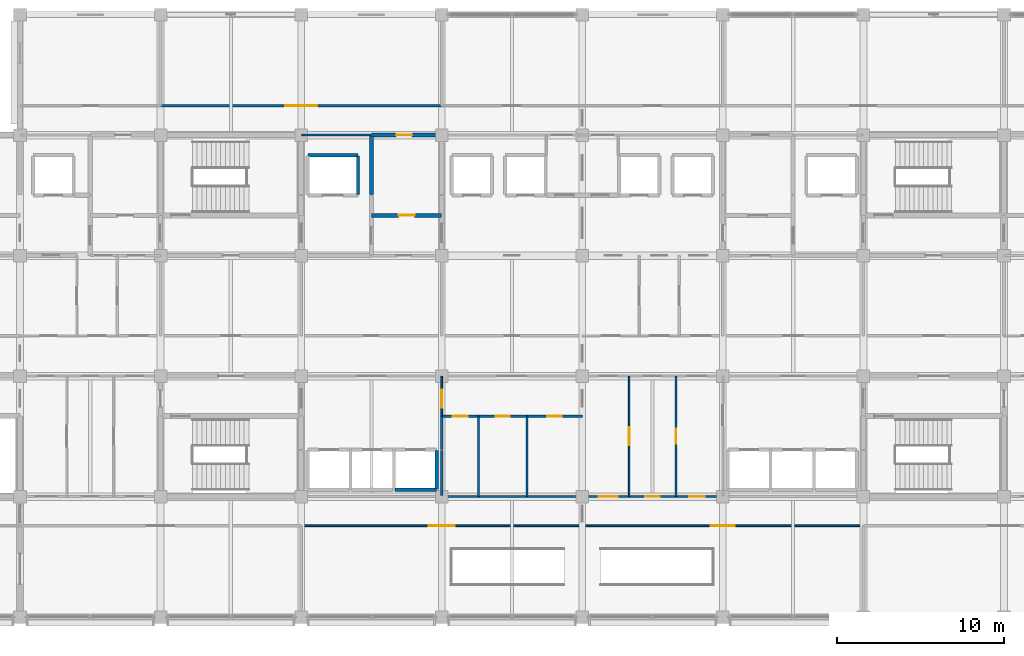
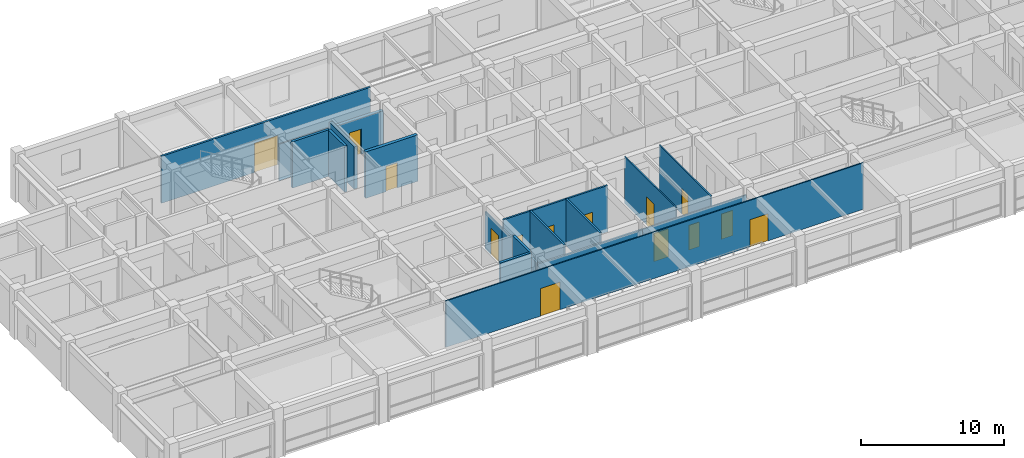
# One storey, part 14 of 23: 20 walls, 14 doors, 14 openings.
"""IFC4 building model written with IfcOpenShell, lengths in metres."""

from ifc_helpers import new_model, si_unit, direction, frame, frame_2d, origin, place, context, subcontext, project, spatial, rectangle, extrude, material, layer, layer_set, type_object, element, fill, save


model = new_model("IFC4")

# Units and contexts
model_context = context("Model", 3, precision=1e-05, world=origin(), true_north=direction((0.0, 1.0)))
body_context = subcontext(model_context, "Body", "Model", "MODEL_VIEW")
ifc_project = project(units=[si_unit("LENGTHUNIT", "METRE"), si_unit("AREAUNIT", "SQUARE_METRE"), si_unit("VOLUMEUNIT", "CUBIC_METRE"), si_unit("PLANEANGLEUNIT", "RADIAN"), si_unit("MASSUNIT", "GRAM", prefix="KILO")], contexts=[model_context])

# Site, building, storey
site_placement = place(None, origin())
site = spatial("IfcSite", under=ifc_project, at=site_placement, CompositionType="ELEMENT")
building_placement = place(site_placement, origin())
building = spatial("IfcBuilding", under=site, at=building_placement, Name="Chengyuan Square Courthouse", CompositionType="ELEMENT")
storey_placement = place(building_placement, frame((0.0, 0.0, 43.5)))
storey = spatial("IfcBuildingStorey", under=building, at=storey_placement, Name="L10", CompositionType="ELEMENT", Elevation=43.5)

# Wall, opening, door
ifc_material_1 = material(Name="Concrete C40", Category="concrete")
ifc_layer_1 = layer(ifc_material_1, 0.25)
ifc_layer_set_1 = layer_set([ifc_layer_1], Name="Concrete C40")
wall_type_1 = type_object("IfcWallType", Name="WL-FW1", PredefinedType="STANDARD", material=ifc_layer_set_1)
wall_1_placement = place(storey_placement, frame((71.39990234375, 103.199951171875, 0.0), z_axis=(0.0, 0.0, 1.0), x_axis=(1.0, 0.0, 0.0)))
wall_1 = element("IfcWall", 1, at=wall_1_placement, inside=storey, type_object=wall_type_1, Name="Interior Wall WL-L10-I3354", PredefinedType="STANDARD", context=body_context, shape_type="SweptSolid", body=[
    extrude(rectangle(XDim=4.2001953125, YDim=0.25, at=frame_2d((2.10009765625, 0.0))), origin(), (0.0, 0.0, 1.0), 3.949951171875),
])
opening_1_placement = place(wall_1_placement, frame((1.625, 0.0, 0.0)))
opening_1 = element("IfcOpeningElement", 2, at=opening_1_placement, cuts=wall_1, Name="Opening DR-2794", PredefinedType="OPENING", context=body_context, shape_type="SweptSolid", body=[
    extrude(rectangle(XDim=0.949951171875, YDim=2.14990234375, at=frame_2d((0.47509765625, 1.074951171875))), frame((0.0, 0.136962890625, 0.0), z_axis=(0.0, -1.0, 0.0), x_axis=(1.0, 0.0, 0.0)), (0.0, 0.0, 1.0), 0.27392578125),
])
ifc_material_2 = material(Name="Steel Q235B Fire Door", Category="steel")
door_type_1 = type_object("IfcDoorType", Name="DT-12", OperationType="NOTDEFINED", PredefinedType="DOOR", material=ifc_material_2)
door_1_placement = place(opening_1_placement, origin())
door_1 = element("IfcDoor", 3, at=door_1_placement, inside=storey, type_object=door_type_1, Name="Interior Door DR-2794", OperationType="SINGLE_SWING_RIGHT", OverallHeight=2.14990234375, OverallWidth=0.949951171875, PredefinedType="DOOR", context=body_context, shape_type="SweptSolid", body=[
    extrude(rectangle(XDim=0.949951171875, YDim=2.14990234375, at=frame_2d((0.47509765625, 1.074951171875))), frame((0.0, 0.02490234375, 0.0), z_axis=(0.0, -1.0, 0.0), x_axis=(1.0, 0.0, 0.0)), (0.0, 0.0, 1.0), 0.050048828125),
])
fill(opening_1, door_1)

wall_2_placement = place(storey_placement, frame((71.39990234375, 108.0, 0.0), z_axis=(0.0, 0.0, 1.0), x_axis=(1.0, 0.0, 0.0)))
wall_2 = element("IfcWall", 4, at=wall_2_placement, inside=storey, type_object=wall_type_1, Name="Interior Wall WL-L10-I3386", PredefinedType="STANDARD", context=body_context, shape_type="SweptSolid", body=[
    extrude(rectangle(XDim=4.2001953125, YDim=0.25, at=frame_2d((2.10009765625, 0.0))), origin(), (0.0, 0.0, 1.0), 3.10009765625),
])
opening_2_placement = place(wall_2_placement, frame((1.4775390625, 0.0, 0.0)))
opening_2 = element("IfcOpeningElement", 5, at=opening_2_placement, cuts=wall_2, Name="Opening DR-2797", PredefinedType="OPENING", context=body_context, shape_type="SweptSolid", body=[
    extrude(rectangle(XDim=0.949951171875, YDim=2.14990234375, at=frame_2d((0.47509765625, 1.074951171875))), frame((0.0, 0.136962890625, 0.0), z_axis=(0.0, -1.0, 0.0), x_axis=(1.0, 0.0, 0.0)), (0.0, 0.0, 1.0), 0.27392578125),
])
door_2_placement = place(opening_2_placement, origin())
door_2 = element("IfcDoor", 6, at=door_2_placement, inside=storey, type_object=door_type_1, Name="Interior Door DR-2797", OperationType="SINGLE_SWING_LEFT", OverallHeight=2.14990234375, OverallWidth=0.949951171875, PredefinedType="DOOR", context=body_context, shape_type="SweptSolid", body=[
    extrude(rectangle(XDim=0.949951171875, YDim=2.14990234375, at=frame_2d((0.47509765625, 1.074951171875))), frame((0.0, 0.02490234375, 0.0), z_axis=(0.0, -1.0, 0.0), x_axis=(1.0, 0.0, 0.0)), (0.0, 0.0, 1.0), 0.050048828125),
])
fill(opening_2, door_2)

# Wall
wall_3_placement = place(storey_placement, frame((71.39990234375, 104.449951171875, 0.0), z_axis=(0.0, 0.0, 1.0), x_axis=(0.0, 1.0, 0.0)))
element("IfcWall", 7, at=wall_3_placement, inside=storey, type_object=wall_type_1, Name="Interior Wall WL-L10-I3435", PredefinedType="STANDARD", context=body_context, shape_type="SweptSolid", body=[
    extrude(rectangle(XDim=3.5, YDim=0.25, at=frame_2d((1.75, 0.0))), origin(), (0.0, 0.0, 1.0), 3.60009765625),
])

# Wall, opening, door
ifc_material_3 = material(Name="Acoustic Timber-Lined Gypsum Partition", Category="wood")
ifc_layer_2 = layer(ifc_material_3, 0.159912109375)
ifc_layer_set_2 = layer_set([ifc_layer_2], Name="Acoustic Timber-Lined Gypsum Partition")
wall_type_2 = type_object("IfcWallType", Name="WL-PT2", PredefinedType="STANDARD", material=ifc_layer_set_2)
wall_4_placement = place(storey_placement, frame((58.800048828125, 109.75, 0.0), z_axis=(0.0, 0.0, 1.0), x_axis=(1.0, 0.0, 0.0)))
wall_4 = element("IfcWall", 8, at=wall_4_placement, inside=storey, type_object=wall_type_2, Name="Interior Wall WL-L10-I3396", PredefinedType="STANDARD", context=body_context, shape_type="SweptSolid", body=[
    extrude(rectangle(XDim=16.800048828125, YDim=0.159912109375, at=frame_2d((8.39990234375, 0.0))), origin(), (0.0, 0.0, 1.0), 4.0),
])
opening_3_placement = place(wall_4_placement, frame((7.449951171875, 0.0, 0.0)))
opening_3 = element("IfcOpeningElement", 9, at=opening_3_placement, cuts=wall_4, Name="Opening DR-2893", PredefinedType="OPENING", context=body_context, shape_type="SweptSolid", body=[
    extrude(rectangle(XDim=1.89990234375, YDim=2.5, at=frame_2d((0.949951171875, 1.25))), frame((0.0, 0.092041015625, 0.0), z_axis=(0.0, -1.0, 0.0), x_axis=(1.0, 0.0, 0.0)), (0.0, 0.0, 1.0), 0.183837890625),
])
ifc_material_4 = material(Name="Acoustic Larch Veneer Double Door")
door_type_2 = type_object("IfcDoorType", Name="DT-26", OperationType="DOUBLE_DOOR_SINGLE_SWING", PredefinedType="DOOR", material=ifc_material_4)
door_3_placement = place(opening_3_placement, frame((1.89990234375, 0.0, 0.0), z_axis=(0.0, 0.0, 1.0), x_axis=(-1.0, 0.0, 0.0)))
door_3 = element("IfcDoor", 10, at=door_3_placement, inside=storey, type_object=door_type_2, Name="Interior Door DR-2893", OperationType="DOUBLE_DOOR_SINGLE_SWING", OverallHeight=2.5, OverallWidth=1.89990234375, PredefinedType="DOOR", context=body_context, shape_type="SweptSolid", body=[
    extrude(rectangle(XDim=1.89990234375, YDim=2.5, at=frame_2d((0.949951171875, 1.25))), frame((0.0, 0.02490234375, 0.0), z_axis=(0.0, -1.0, 0.0), x_axis=(1.0, 0.0, 0.0)), (0.0, 0.0, 1.0), 0.050048828125),
])
fill(opening_3, door_3)

# Wall
ifc_material_5 = material(Name="Moisture-Resistant Masonry Wet-Room Partition", Category="masonry")
ifc_layer_3 = layer(ifc_material_5, 0.139892578125)
ifc_layer_set_3 = layer_set([ifc_layer_3], Name="Moisture-Resistant Masonry Wet-Room Partition")
wall_type_3 = type_object("IfcWallType", Name="WL-PT4", PredefinedType="STANDARD", material=ifc_layer_set_3)
wall_5_placement = place(storey_placement, frame((75.60009765625, 86.39990234375, 0.0), z_axis=(0.0, 0.0, 1.0), x_axis=(1.0, 0.0, 0.0)))
element("IfcWall", 11, at=wall_5_placement, inside=storey, type_object=wall_type_3, Name="Interior Wall WL-L10-I3304", PredefinedType="STANDARD", context=body_context, shape_type="SweptSolid", body=[
    extrude(rectangle(XDim=8.39990234375, YDim=0.139892578125, at=frame_2d((4.199951171875, 0.0))), origin(), (0.0, 0.0, 1.0), 3.10009765625),
])

# Wall, openings, doors
wall_6_placement = place(storey_placement, frame((75.60009765625, 91.199951171875, 0.0), z_axis=(0.0, 0.0, 1.0), x_axis=(1.0, 0.0, 0.0)))
wall_6 = element("IfcWall", 12, at=wall_6_placement, inside=storey, type_object=wall_type_3, Name="Interior Wall WL-L10-I3320", PredefinedType="STANDARD", context=body_context, shape_type="SweptSolid", body=[
    extrude(rectangle(XDim=8.39990234375, YDim=0.139892578125, at=frame_2d((4.199951171875, 0.0))), origin(), (0.0, 0.0, 1.0), 3.949951171875),
])
opening_4_placement = place(wall_6_placement, frame((0.64990234375, 0.0, 0.0)))
opening_4 = element("IfcOpeningElement", 13, at=opening_4_placement, cuts=wall_6, Name="Opening DR-2834", PredefinedType="OPENING", context=body_context, shape_type="SweptSolid", body=[
    extrude(rectangle(XDim=0.89990234375, YDim=2.14990234375, at=frame_2d((0.449951171875, 1.074951171875))), frame((0.0, 0.08203125, 0.0), z_axis=(0.0, -1.0, 0.0), x_axis=(1.0, 0.0, 0.0)), (0.0, 0.0, 1.0), 0.163818359375),
])
opening_5_placement = place(wall_6_placement, frame((3.219970703125, 0.0, 0.0)))
opening_5 = element("IfcOpeningElement", 14, at=opening_5_placement, cuts=wall_6, Name="Opening DR-2835", PredefinedType="OPENING", context=body_context, shape_type="SweptSolid", body=[
    extrude(rectangle(XDim=0.860107421875, YDim=2.10009765625, at=frame_2d((0.43017578125, 1.050048828125))), frame((0.0, 0.08203125, 0.0), z_axis=(0.0, -1.0, 0.0), x_axis=(1.0, 0.0, 0.0)), (0.0, 0.0, 1.0), 0.163818359375),
])
opening_6_placement = place(wall_6_placement, frame((6.320068359375, 0.0, 0.0)))
opening_6 = element("IfcOpeningElement", 15, at=opening_6_placement, cuts=wall_6, Name="Opening DR-2836", PredefinedType="OPENING", context=body_context, shape_type="SweptSolid", body=[
    extrude(rectangle(XDim=0.860107421875, YDim=2.10009765625, at=frame_2d((0.43017578125, 1.050048828125))), frame((0.0, 0.08203125, 0.0), z_axis=(0.0, -1.0, 0.0), x_axis=(1.0, 0.0, 0.0)), (0.0, 0.0, 1.0), 0.163818359375),
])
ifc_material_6 = material(Name="Acoustic Solid-Core Timber Door", Category="wood")
door_type_3 = type_object("IfcDoorType", Name="DT-27", OperationType="NOTDEFINED", PredefinedType="DOOR", material=ifc_material_6)
door_4_placement = place(opening_4_placement, origin())
door_4 = element("IfcDoor", 16, at=door_4_placement, inside=storey, type_object=door_type_3, Name="Interior Door DR-2834", OperationType="SINGLE_SWING_LEFT", OverallHeight=2.14990234375, OverallWidth=0.89990234375, PredefinedType="DOOR", context=body_context, shape_type="SweptSolid", body=[
    extrude(rectangle(XDim=0.89990234375, YDim=2.14990234375, at=frame_2d((0.449951171875, 1.074951171875))), frame((0.0, 0.02490234375, 0.0), z_axis=(0.0, -1.0, 0.0), x_axis=(1.0, 0.0, 0.0)), (0.0, 0.0, 1.0), 0.050048828125),
])
fill(opening_4, door_4)
door_type_4 = type_object("IfcDoorType", Name="DT-28", OperationType="NOTDEFINED", PredefinedType="DOOR", material=ifc_material_6)
door_5_placement = place(opening_5_placement, origin())
door_5 = element("IfcDoor", 17, at=door_5_placement, inside=storey, type_object=door_type_4, Name="Interior Door DR-2835", OperationType="SINGLE_SWING_RIGHT", OverallHeight=2.10009765625, OverallWidth=0.860107421875, PredefinedType="DOOR", context=body_context, shape_type="SweptSolid", body=[
    extrude(rectangle(XDim=0.860107421875, YDim=2.10009765625, at=frame_2d((0.43017578125, 1.050048828125))), frame((0.0, 0.02490234375, 0.0), z_axis=(0.0, -1.0, 0.0), x_axis=(1.0, 0.0, 0.0)), (0.0, 0.0, 1.0), 0.050048828125),
])
fill(opening_5, door_5)
door_6_placement = place(opening_6_placement, origin())
door_6 = element("IfcDoor", 18, at=door_6_placement, inside=storey, type_object=door_type_4, Name="Interior Door DR-2836", OperationType="SINGLE_SWING_LEFT", OverallHeight=2.10009765625, OverallWidth=0.860107421875, PredefinedType="DOOR", context=body_context, shape_type="SweptSolid", body=[
    extrude(rectangle(XDim=0.860107421875, YDim=2.10009765625, at=frame_2d((0.43017578125, 1.050048828125))), frame((0.0, 0.02490234375, 0.0), z_axis=(0.0, -1.0, 0.0), x_axis=(1.0, 0.0, 0.0)), (0.0, 0.0, 1.0), 0.050048828125),
])
fill(opening_6, door_6)

# Walls
wall_7_placement = place(storey_placement, frame((75.60009765625, 86.449951171875, 0.0), z_axis=(0.0, 0.0, 1.0), x_axis=(0.0, 1.0, 0.0)))
element("IfcWall", 19, at=wall_7_placement, inside=storey, type_object=wall_type_3, Name="Interior Wall WL-L10-I3438", PredefinedType="STANDARD", context=body_context, shape_type="SweptSolid", body=[
    extrude(rectangle(XDim=2.699951171875, YDim=0.139892578125, at=frame_2d((1.35009765625, 0.0))), origin(), (0.0, 0.0, 1.0), 3.199951171875),
])
wall_8_placement = place(storey_placement, frame((75.60009765625, 89.199951171875, 0.0), z_axis=(0.0, 0.0, 1.0), x_axis=(0.0, 1.0, 0.0)))
element("IfcWall", 20, at=wall_8_placement, inside=storey, type_object=wall_type_3, Name="Interior Wall WL-L10-I3439", PredefinedType="STANDARD", context=body_context, shape_type="SweptSolid", body=[
    extrude(rectangle(XDim=2.0, YDim=0.139892578125, at=frame_2d((1.0, 0.0))), origin(), (0.0, 0.0, 1.0), 3.199951171875),
])
for number, where, z_axis, x_axis, name in (
    (21, (77.800048828125, 86.39990234375, 0.0), (0.0, 0.0, 1.0), (0.0, 1.0, 0.0), "Interior Wall WL-L10-I3446"),
    (22, (80.699951171875, 86.39990234375, 0.0), (0.0, 0.0, 1.0), (0.0, 1.0, 0.0), "Interior Wall WL-L10-I3449"),
):
    element("IfcWall", number, at=place(storey_placement, frame(where, z_axis=z_axis, x_axis=x_axis)), inside=storey, type_object=wall_type_3, Name=name, PredefinedType="STANDARD", context=body_context, shape_type="SweptSolid", body=[
        extrude(rectangle(XDim=4.800048828125, YDim=0.139892578125, at=frame_2d((2.39990234375, 0.0))), origin(), (0.0, 0.0, 1.0), 3.949951171875),
    ])

# Wall, openings, doors
ifc_material_7 = material(Name="Gypsum Plasterboard Acoustic Stud Partition")
ifc_layer_4 = layer(ifc_material_7, 0.10009765625)
ifc_layer_set_4 = layer_set([ifc_layer_4], Name="Gypsum Plasterboard Acoustic Stud Partition")
wall_type_4 = type_object("IfcWallType", Name="WL-PT6", PredefinedType="STANDARD", material=ifc_layer_set_4)
wall_9_placement = place(storey_placement, frame((67.199951171875, 84.64990234375, 0.0), z_axis=(0.0, 0.0, 1.0), x_axis=(1.0, 0.0, 0.0)))
wall_9 = element("IfcWall", 23, at=wall_9_placement, inside=storey, type_object=wall_type_4, Name="Interior Wall WL-L10-I3297", PredefinedType="STANDARD", context=body_context, shape_type="SweptSolid", body=[
    extrude(rectangle(XDim=33.60009765625, YDim=0.10009765625, at=frame_2d((16.800048828125, 0.0))), origin(), (0.0, 0.0, 1.0), 3.949951171875),
])
opening_7_placement = place(wall_9_placement, frame((7.625, 0.0, 0.0)))
opening_7 = element("IfcOpeningElement", 24, at=opening_7_placement, cuts=wall_9, Name="Opening DR-2902", PredefinedType="OPENING", context=body_context, shape_type="SweptSolid", body=[
    extrude(rectangle(XDim=1.550048828125, YDim=2.35009765625, at=frame_2d((0.77490234375, 1.175048828125))), frame((0.0, 0.06201171875, 0.0), z_axis=(0.0, -1.0, 0.0), x_axis=(1.0, 0.0, 0.0)), (0.0, 0.0, 1.0), 0.1240234375),
])
opening_8_placement = place(wall_9_placement, frame((24.47509765625, 0.0, 0.0)))
opening_8 = element("IfcOpeningElement", 25, at=opening_8_placement, cuts=wall_9, Name="Opening DR-2904", PredefinedType="OPENING", context=body_context, shape_type="SweptSolid", body=[
    extrude(rectangle(XDim=1.449951171875, YDim=2.300048828125, at=frame_2d((0.72509765625, 1.14990234375))), frame((0.0, 0.06201171875, 0.0), z_axis=(0.0, -1.0, 0.0), x_axis=(1.0, 0.0, 0.0)), (0.0, 0.0, 1.0), 0.1240234375),
])
door_type_5 = type_object("IfcDoorType", Name="DT-23", OperationType="DOUBLE_DOOR_SINGLE_SWING", PredefinedType="DOOR", material=ifc_material_4)
door_7_placement = place(opening_7_placement, frame((1.550048828125, 0.0, 0.0), z_axis=(0.0, 0.0, 1.0), x_axis=(-1.0, 0.0, 0.0)))
door_7 = element("IfcDoor", 26, at=door_7_placement, inside=storey, type_object=door_type_5, Name="Interior Door DR-2902", OperationType="DOUBLE_DOOR_SINGLE_SWING", OverallHeight=2.35009765625, OverallWidth=1.550048828125, PredefinedType="DOOR", context=body_context, shape_type="SweptSolid", body=[
    extrude(rectangle(XDim=1.550048828125, YDim=2.35009765625, at=frame_2d((0.77490234375, 1.175048828125))), frame((0.0, 0.02490234375, 0.0), z_axis=(0.0, -1.0, 0.0), x_axis=(1.0, 0.0, 0.0)), (0.0, 0.0, 1.0), 0.050048828125),
])
fill(opening_7, door_7)
door_type_6 = type_object("IfcDoorType", Name="DT-25", OperationType="DOUBLE_DOOR_SINGLE_SWING", PredefinedType="DOOR", material=ifc_material_4)
door_8_placement = place(opening_8_placement, frame((1.449951171875, 0.0, 0.0), z_axis=(0.0, 0.0, 1.0), x_axis=(-1.0, 0.0, 0.0)))
door_8 = element("IfcDoor", 27, at=door_8_placement, inside=storey, type_object=door_type_6, Name="Interior Door DR-2904", OperationType="DOUBLE_DOOR_SINGLE_SWING", OverallHeight=2.300048828125, OverallWidth=1.449951171875, PredefinedType="DOOR", context=body_context, shape_type="SweptSolid", body=[
    extrude(rectangle(XDim=1.449951171875, YDim=2.300048828125, at=frame_2d((0.72509765625, 1.14990234375))), frame((0.0, 0.02490234375, 0.0), z_axis=(0.0, -1.0, 0.0), x_axis=(1.0, 0.0, 0.0)), (0.0, 0.0, 1.0), 0.050048828125),
])
fill(opening_8, door_8)

wall_10_placement = place(storey_placement, frame((84.0, 86.39990234375, 0.0), z_axis=(0.0, 0.0, 1.0), x_axis=(1.0, 0.0, 0.0)))
wall_10 = element("IfcWall", 28, at=wall_10_placement, inside=storey, type_object=wall_type_4, Name="Interior Wall WL-L10-I3305", PredefinedType="STANDARD", context=body_context, shape_type="SweptSolid", body=[
    extrude(rectangle(XDim=8.39990234375, YDim=0.10009765625, at=frame_2d((4.199951171875, 0.0))), origin(), (0.0, 0.0, 1.0), 3.10009765625),
])
opening_9_placement = place(wall_10_placement, frame((0.9775390625, 0.0, 0.0)))
opening_9 = element("IfcOpeningElement", 29, at=opening_9_placement, cuts=wall_10, Name="Opening DR-2879", PredefinedType="OPENING", context=body_context, shape_type="SweptSolid", body=[
    extrude(rectangle(XDim=1.139892578125, YDim=2.39990234375, at=frame_2d((0.56982421875, 1.199951171875))), frame((0.0, 0.06201171875, 0.0), z_axis=(0.0, -1.0, 0.0), x_axis=(1.0, 0.0, 0.0)), (0.0, 0.0, 1.0), 0.1240234375),
])
opening_10_placement = place(wall_10_placement, frame((3.77001953125, 0.0, 0.0)))
opening_10 = element("IfcOpeningElement", 30, at=opening_10_placement, cuts=wall_10, Name="Opening DR-2881", PredefinedType="OPENING", context=body_context, shape_type="SweptSolid", body=[
    extrude(rectangle(XDim=0.860107421875, YDim=2.10009765625, at=frame_2d((0.43017578125, 1.050048828125))), frame((0.0, 0.06201171875, 0.0), z_axis=(0.0, -1.0, 0.0), x_axis=(1.0, 0.0, 0.0)), (0.0, 0.0, 1.0), 0.1240234375),
])
opening_11_placement = place(wall_10_placement, frame((6.392578125, 0.0, 0.0)))
opening_11 = element("IfcOpeningElement", 31, at=opening_11_placement, cuts=wall_10, Name="Opening DR-2882", PredefinedType="OPENING", context=body_context, shape_type="SweptSolid", body=[
    extrude(rectangle(XDim=0.919921875, YDim=2.14990234375, at=frame_2d((0.4599609375, 1.074951171875))), frame((0.0, 0.06201171875, 0.0), z_axis=(0.0, -1.0, 0.0), x_axis=(1.0, 0.0, 0.0)), (0.0, 0.0, 1.0), 0.1240234375),
])
door_9_placement = place(opening_10_placement, origin())
door_9 = element("IfcDoor", 32, at=door_9_placement, inside=storey, type_object=door_type_4, Name="Interior Door DR-2881", OperationType="SINGLE_SWING_LEFT", OverallHeight=2.10009765625, OverallWidth=0.860107421875, PredefinedType="DOOR", context=body_context, shape_type="SweptSolid", body=[
    extrude(rectangle(XDim=0.860107421875, YDim=2.10009765625, at=frame_2d((0.43017578125, 1.050048828125))), frame((0.0, 0.02490234375, 0.0), z_axis=(0.0, -1.0, 0.0), x_axis=(1.0, 0.0, 0.0)), (0.0, 0.0, 1.0), 0.050048828125),
])
fill(opening_10, door_9)
door_type_7 = type_object("IfcDoorType", Name="DT-29", OperationType="NOTDEFINED", PredefinedType="DOOR", material=ifc_material_6)
door_10_placement = place(opening_11_placement, origin())
door_10 = element("IfcDoor", 33, at=door_10_placement, inside=storey, type_object=door_type_7, Name="Interior Door DR-2882", OperationType="SINGLE_SWING_RIGHT", OverallHeight=2.14990234375, OverallWidth=0.919921875, PredefinedType="DOOR", context=body_context, shape_type="SweptSolid", body=[
    extrude(rectangle(XDim=0.919921875, YDim=2.14990234375, at=frame_2d((0.4599609375, 1.074951171875))), frame((0.0, 0.02490234375, 0.0), z_axis=(0.0, -1.0, 0.0), x_axis=(1.0, 0.0, 0.0)), (0.0, 0.0, 1.0), 0.050048828125),
])
fill(opening_11, door_10)
door_type_8 = type_object("IfcDoorType", Name="DT-43", OperationType="NOTDEFINED", PredefinedType="DOOR", material=ifc_material_6)
door_11_placement = place(opening_9_placement, origin())
door_11 = element("IfcDoor", 34, at=door_11_placement, inside=storey, type_object=door_type_8, Name="Interior Door DR-2879", OperationType="SINGLE_SWING_LEFT", OverallHeight=2.39990234375, OverallWidth=1.139892578125, PredefinedType="DOOR", context=body_context, shape_type="SweptSolid", body=[
    extrude(rectangle(XDim=1.139892578125, YDim=2.39990234375, at=frame_2d((0.56982421875, 1.199951171875))), frame((0.0, 0.02490234375, 0.0), z_axis=(0.0, -1.0, 0.0), x_axis=(1.0, 0.0, 0.0)), (0.0, 0.0, 1.0), 0.050048828125),
])
fill(opening_9, door_11)

# Wall
wall_11_placement = place(storey_placement, frame((67.25, 108.0, 0.0), z_axis=(0.0, 0.0, 1.0), x_axis=(1.0, 0.0, 0.0)))
element("IfcWall", 35, at=wall_11_placement, inside=storey, type_object=wall_type_4, Name="Interior Wall WL-L10-I3385", PredefinedType="STANDARD", context=body_context, shape_type="SweptSolid", body=[
    extrude(rectangle(XDim=4.10009765625, YDim=0.10009765625, at=frame_2d((2.050048828125, 0.0))), origin(), (0.0, 0.0, 1.0), 3.10009765625),
])

# Wall, opening, door
wall_12_placement = place(storey_placement, frame((75.60009765625, 91.199951171875, 0.0), z_axis=(0.0, 0.0, 1.0), x_axis=(0.0, 1.0, 0.0)))
wall_12 = element("IfcWall", 36, at=wall_12_placement, inside=storey, type_object=wall_type_4, Name="Interior Wall WL-L10-I3440", PredefinedType="STANDARD", context=body_context, shape_type="SweptSolid", body=[
    extrude(rectangle(XDim=2.400146484375, YDim=0.10009765625, at=frame_2d((1.2001953125, 0.0))), origin(), (0.0, 0.0, 1.0), 3.199951171875),
])
opening_12_placement = place(wall_12_placement, frame((0.512451171875, 0.0, 0.0)))
opening_12 = element("IfcOpeningElement", 37, at=opening_12_placement, cuts=wall_12, Name="Opening DR-2818", PredefinedType="OPENING", context=body_context, shape_type="SweptSolid", body=[
    extrude(rectangle(XDim=1.080078125, YDim=2.25, at=frame_2d((0.5400390625, 1.125))), frame((0.0, 0.06201171875, 0.0), z_axis=(0.0, -1.0, 0.0), x_axis=(1.0, 0.0, 0.0)), (0.0, 0.0, 1.0), 0.1240234375),
])
door_type_9 = type_object("IfcDoorType", Name="DT-33", OperationType="NOTDEFINED", PredefinedType="DOOR", material=ifc_material_6)
door_12_placement = place(opening_12_placement, origin())
door_12 = element("IfcDoor", 38, at=door_12_placement, inside=storey, type_object=door_type_9, Name="Interior Door DR-2818", OperationType="SINGLE_SWING_LEFT", OverallHeight=2.25, OverallWidth=1.080078125, PredefinedType="DOOR", context=body_context, shape_type="SweptSolid", body=[
    extrude(rectangle(XDim=1.080078125, YDim=2.25, at=frame_2d((0.5400390625, 1.125))), frame((0.0, 0.02490234375, 0.0), z_axis=(0.0, -1.0, 0.0), x_axis=(1.0, 0.0, 0.0)), (0.0, 0.0, 1.0), 0.050048828125),
])
fill(opening_12, door_12)

wall_13_placement = place(storey_placement, frame((86.800048828125, 86.39990234375, 0.0), z_axis=(0.0, 0.0, 1.0), x_axis=(0.0, 1.0, 0.0)))
wall_13 = element("IfcWall", 39, at=wall_13_placement, inside=storey, type_object=wall_type_4, Name="Interior Wall WL-L10-I3455", PredefinedType="STANDARD", context=body_context, shape_type="SweptSolid", body=[
    extrude(rectangle(XDim=7.2001953125, YDim=0.10009765625, at=frame_2d((3.60009765625, 0.0))), origin(), (0.0, 0.0, 1.0), 3.949951171875),
])
opening_13_placement = place(wall_13_placement, frame((3.070068359375, 0.0, 0.0)))
opening_13 = element("IfcOpeningElement", 40, at=opening_13_placement, cuts=wall_13, Name="Opening DR-2878", PredefinedType="OPENING", context=body_context, shape_type="SweptSolid", body=[
    extrude(rectangle(XDim=1.06005859375, YDim=2.39990234375, at=frame_2d((0.530029296875, 1.199951171875))), frame((0.0, 0.06201171875, 0.0), z_axis=(0.0, -1.0, 0.0), x_axis=(1.0, 0.0, 0.0)), (0.0, 0.0, 1.0), 0.1240234375),
])
door_type_10 = type_object("IfcDoorType", Name="DT-42", OperationType="NOTDEFINED", PredefinedType="DOOR", material=ifc_material_6)
door_13_placement = place(opening_13_placement, origin())
door_13 = element("IfcDoor", 41, at=door_13_placement, inside=storey, type_object=door_type_10, Name="Interior Door DR-2878", OperationType="SINGLE_SWING_RIGHT", OverallHeight=2.39990234375, OverallWidth=1.06005859375, PredefinedType="DOOR", context=body_context, shape_type="SweptSolid", body=[
    extrude(rectangle(XDim=1.06005859375, YDim=2.39990234375, at=frame_2d((0.530029296875, 1.199951171875))), frame((0.0, 0.02490234375, 0.0), z_axis=(0.0, -1.0, 0.0), x_axis=(1.0, 0.0, 0.0)), (0.0, 0.0, 1.0), 0.050048828125),
])
fill(opening_13, door_13)

wall_14_placement = place(storey_placement, frame((89.60009765625, 86.39990234375, 0.0), z_axis=(0.0, 0.0, 1.0), x_axis=(0.0, 1.0, 0.0)))
wall_14 = element("IfcWall", 42, at=wall_14_placement, inside=storey, type_object=wall_type_4, Name="Interior Wall WL-L10-I3459", PredefinedType="STANDARD", context=body_context, shape_type="SweptSolid", body=[
    extrude(rectangle(XDim=7.2001953125, YDim=0.10009765625, at=frame_2d((3.60009765625, 0.0))), origin(), (0.0, 0.0, 1.0), 3.949951171875),
])
opening_14_placement = place(wall_14_placement, frame((3.14990234375, 0.0, 0.0)))
opening_14 = element("IfcOpeningElement", 43, at=opening_14_placement, cuts=wall_14, Name="Opening DR-2880", PredefinedType="OPENING", context=body_context, shape_type="SweptSolid", body=[
    extrude(rectangle(XDim=0.89990234375, YDim=2.14990234375, at=frame_2d((0.449951171875, 1.074951171875))), frame((0.0, 0.06201171875, 0.0), z_axis=(0.0, -1.0, 0.0), x_axis=(1.0, 0.0, 0.0)), (0.0, 0.0, 1.0), 0.1240234375),
])
door_14_placement = place(opening_14_placement, origin())
door_14 = element("IfcDoor", 44, at=door_14_placement, inside=storey, type_object=door_type_3, Name="Interior Door DR-2880", OperationType="SINGLE_SWING_RIGHT", OverallHeight=2.14990234375, OverallWidth=0.89990234375, PredefinedType="DOOR", context=body_context, shape_type="SweptSolid", body=[
    extrude(rectangle(XDim=0.89990234375, YDim=2.14990234375, at=frame_2d((0.449951171875, 1.074951171875))), frame((0.0, 0.02490234375, 0.0), z_axis=(0.0, -1.0, 0.0), x_axis=(1.0, 0.0, 0.0)), (0.0, 0.0, 1.0), 0.050048828125),
])
fill(opening_14, door_14)

# Walls
ifc_material_8 = material(Name="Reinforced Masonry Shaft Enclosure", Category="masonry")
ifc_layer_5 = layer(ifc_material_8, 0.199951171875)
ifc_layer_set_5 = layer_set([ifc_layer_5], Name="Reinforced Masonry Shaft Enclosure")
wall_type_5 = type_object("IfcWallType", Name="WL-SH1", PredefinedType="STANDARD", material=ifc_layer_set_5)
wall_15_placement = place(storey_placement, frame((72.800048828125, 86.800048828125, 0.0), z_axis=(0.0, 0.0, 1.0), x_axis=(1.0, 0.0, 0.0)))
element("IfcWall", 45, at=wall_15_placement, inside=storey, type_object=wall_type_5, Name="Interior Wall WL-L10-I3312", PredefinedType="STANDARD", context=body_context, shape_type="SweptSolid", body=[
    extrude(rectangle(XDim=2.5, YDim=0.199951171875, at=frame_2d((1.25, 0.0))), origin(), (0.0, 0.0, 1.0), 3.949951171875),
])
wall_16_placement = place(storey_placement, frame((67.60009765625, 106.800048828125, 0.0), z_axis=(0.0, 0.0, 1.0), x_axis=(1.0, 0.0, 0.0)))
element("IfcWall", 46, at=wall_16_placement, inside=storey, type_object=wall_type_5, Name="Interior Wall WL-L10-I3374", PredefinedType="STANDARD", context=body_context, shape_type="SweptSolid", body=[
    extrude(rectangle(XDim=3.0, YDim=0.199951171875, at=frame_2d((1.5, 0.0))), origin(), (0.0, 0.0, 1.0), 3.949951171875),
])
wall_17_placement = place(storey_placement, frame((70.60009765625, 104.449951171875, 0.0), z_axis=(0.0, 0.0, 1.0), x_axis=(0.0, 1.0, 0.0)))
element("IfcWall", 47, at=wall_17_placement, inside=storey, type_object=wall_type_5, Name="Interior Wall WL-L10-I3433", PredefinedType="STANDARD", context=body_context, shape_type="SweptSolid", body=[
    extrude(rectangle(XDim=2.300048828125, YDim=0.199951171875, at=frame_2d((1.14990234375, 0.0))), origin(), (0.0, 0.0, 1.0), 3.949951171875),
])
wall_18_placement = place(storey_placement, frame((75.300048828125, 86.85009765625, 0.0), z_axis=(0.0, 0.0, 1.0), x_axis=(0.0, 1.0, 0.0)))
element("IfcWall", 48, at=wall_18_placement, inside=storey, type_object=wall_type_5, Name="Interior Wall WL-L10-I3437", PredefinedType="STANDARD", context=body_context, shape_type="SweptSolid", body=[
    extrude(rectangle(XDim=2.2998046875, YDim=0.199951171875, at=frame_2d((1.14990234375, 0.0))), origin(), (0.0, 0.0, 1.0), 3.949951171875),
])

save(model, "model.ifc")
